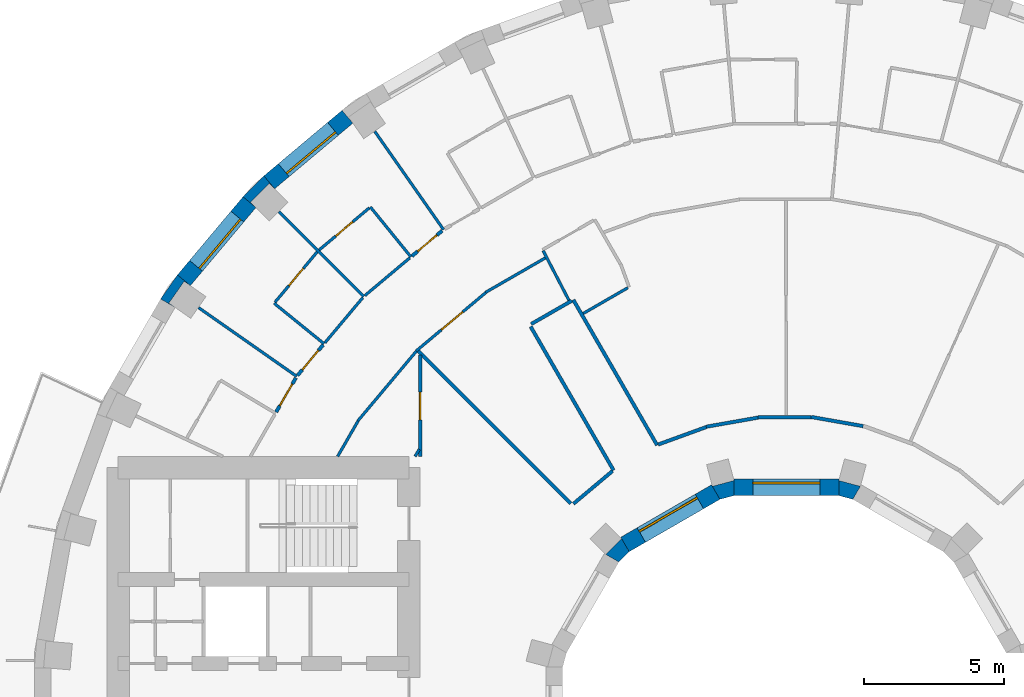
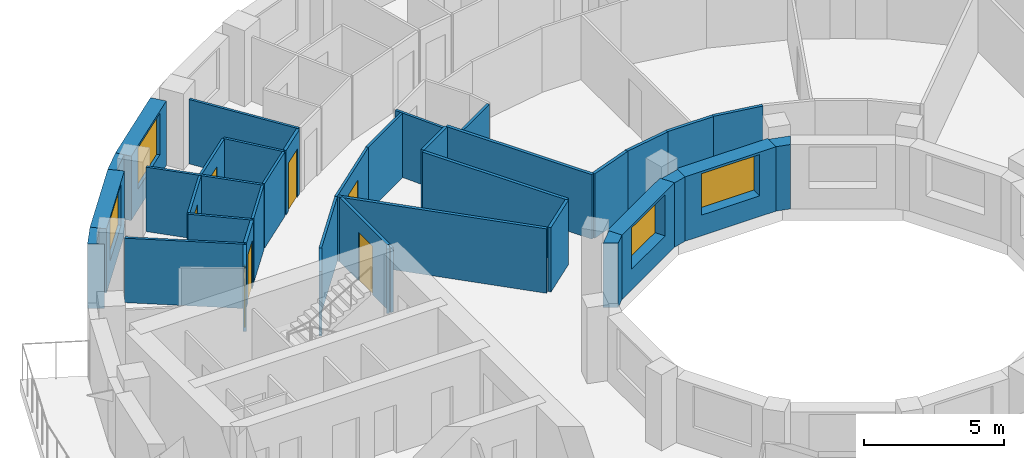
# One storey, part 8 of 12: 38 walls, 7 doors, 4 windows, 11 openings.
"""IFC4 building model written with IfcOpenShell, lengths in metres."""

from ifc_helpers import new_model, si_unit, direction, frame, frame_2d, origin, place, context, subcontext, project, spatial, polyline, rectangle, outline, extrude, material, layer, layer_set, type_object, element, fill, save


model = new_model("IFC4")

# Units and contexts
model_context = context("Model", 3, precision=1e-05, world=origin(), true_north=direction((0.0, 1.0)))
body_context = subcontext(model_context, "Body", "Model", "MODEL_VIEW")
ifc_project = project(units=[si_unit("LENGTHUNIT", "METRE"), si_unit("AREAUNIT", "SQUARE_METRE"), si_unit("VOLUMEUNIT", "CUBIC_METRE"), si_unit("PLANEANGLEUNIT", "RADIAN"), si_unit("MASSUNIT", "GRAM", prefix="KILO")], contexts=[model_context])

# Site, building, storey
site_placement = place(None, origin())
site = spatial("IfcSite", under=ifc_project, at=site_placement, CompositionType="ELEMENT")
building_placement = place(site_placement, origin())
building = spatial("IfcBuilding", under=site, at=building_placement, Name="Saqina Gate Tower", CompositionType="ELEMENT")
storey_placement = place(building_placement, frame((0.0, 0.0, 115.0)))
storey = spatial("IfcBuildingStorey", under=building, at=storey_placement, Name="L32", CompositionType="ELEMENT", Elevation=115.0)

# Walls
ifc_material_1 = material(Name="Brick masonry (buff)", Category="masonry")
wall_type_1 = type_object("IfcWallType", Name="BRICK PIER COPING BUFF", PredefinedType="SOLIDWALL", material=ifc_material_1)
wall_1_placement = place(storey_placement, origin())
element("IfcWall", 1, at=wall_1_placement, inside=storey, type_object=wall_type_1, Name="Pier cap L32 column 14", PredefinedType="SOLIDWALL", context=body_context, shape_type="SweptSolid", body=[
    extrude(outline(polyline([(-18.686279296875, 19.43212890625), (-19.43212890625, 18.686279296875), (-18.972412109375, 18.30078125), (-19.16259765625, 18.49072265625), (-18.49072265625, 19.16259765625), (-18.30078125, 18.972412109375), (-18.686279296875, 19.43212890625)])), origin(), (0.0, 0.0, 1.0), 2.800048828125),
])
wall_2_placement = place(storey_placement, origin())
element("IfcWall", 2, at=wall_2_placement, inside=storey, type_object=wall_type_1, Name="Pier cap L32 column 15", PredefinedType="SOLIDWALL", context=body_context, shape_type="SweptSolid", body=[
    extrude(outline(polyline([(-22.3818359375, 15.0283203125), (-21.862060546875, 14.728271484375), (-22.08251953125, 14.88232421875), (-21.53759765625, 15.66064453125), (-21.317138671875, 15.50634765625), (-21.77685546875, 15.89208984375), (-22.3818359375, 15.0283203125)])), origin(), (0.0, 0.0, 1.0), 2.800048828125),
])

# Wall, opening, window
ifc_material_2 = material(Name="Brick masonry (buff)", Category="masonry")
ifc_layer_1 = layer(ifc_material_2, 0.60009765625)
ifc_layer_set_1 = layer_set([ifc_layer_1], Name="FW-BRICK-BUFF")
wall_type_2 = type_object("IfcWallType", Name="FW-BRICK-BUFF", PredefinedType="SOLIDWALL", material=ifc_layer_set_1)
wall_3_placement = place(storey_placement, frame((-15.69921875, 21.547119140625, 0.0), z_axis=(0.0, 0.0, 1.0), x_axis=(-0.766055462616, -0.642774476932, 0.0)))
wall_3 = element("IfcWall", 3, at=wall_3_placement, inside=storey, type_object=wall_type_2, Name="Facade wall L32 facet 13", PredefinedType="SOLIDWALL", context=body_context, shape_type="SweptSolid", body=[
    extrude(rectangle(XDim=3.647705078125, YDim=0.60009765625, at=frame_2d((1.82373046875, 0.0))), origin(), (0.0, 0.0, 1.0), 2.800048828125),
])
opening_1_placement = place(wall_3_placement, frame((0.673828125, 0.0, 0.89990234375)))
opening_1 = element("IfcOpeningElement", 4, at=opening_1_placement, cuts=wall_3, Name="Opening G09-W11", PredefinedType="OPENING", context=body_context, shape_type="SweptSolid", body=[
    extrude(rectangle(XDim=2.300048828125, YDim=1.800048828125, at=frame_2d((1.14990234375, 0.89990234375))), frame((0.0, 0.31201171875, 0.0), z_axis=(0.0, -1.0, 0.0), x_axis=(1.0, 0.0, 0.0)), (0.0, 0.0, 1.0), 0.6240234375),
])
ifc_material_3 = material(Name="Aluminium glazing", Category="aluminium")
window_type_1 = type_object("IfcWindowType", Name="WN-B", PartitioningType="SINGLE_PANEL", PredefinedType="WINDOW", material=ifc_material_3)
window_1_placement = place(opening_1_placement, origin())
window_1 = element("IfcWindow", 5, at=window_1_placement, inside=storey, type_object=window_type_1, Name="Window L32 facet 13", OverallHeight=1.800048828125, OverallWidth=2.300048828125, PartitioningType="SINGLE_PANEL", PredefinedType="WINDOW", context=body_context, shape_type="SweptSolid", body=[
    extrude(rectangle(XDim=2.300048828125, YDim=1.800048828125, at=frame_2d((1.14990234375, 0.89990234375))), frame((0.0, 0.179931640625, 0.0), z_axis=(0.0, -1.0, 0.0), x_axis=(1.0, 0.0, 0.0)), (0.0, 0.0, 1.0), 0.06005859375),
])
fill(opening_1, window_1)

wall_4_placement = place(storey_placement, frame((-19.202392578125, 18.49365234375, 0.0), z_axis=(0.0, 0.0, 1.0), x_axis=(-0.642774476932, -0.766055462616, 0.0)))
wall_4 = element("IfcWall", 6, at=wall_4_placement, inside=storey, type_object=wall_type_2, Name="Facade wall L32 facet 14", PredefinedType="SOLIDWALL", context=body_context, shape_type="SweptSolid", body=[
    extrude(rectangle(XDim=3.647705078125, YDim=0.60009765625, at=frame_2d((1.82373046875, 0.0))), origin(), (0.0, 0.0, 1.0), 2.800048828125),
])
opening_2_placement = place(wall_4_placement, frame((0.673828125, 0.0, 0.89990234375)))
opening_2 = element("IfcOpeningElement", 7, at=opening_2_placement, cuts=wall_4, Name="Opening G09-W12", PredefinedType="OPENING", context=body_context, shape_type="SweptSolid", body=[
    extrude(rectangle(XDim=2.300048828125, YDim=1.800048828125, at=frame_2d((1.14990234375, 0.89990234375))), frame((0.0, 0.31201171875, 0.0), z_axis=(0.0, -1.0, 0.0), x_axis=(1.0, 0.0, 0.0)), (0.0, 0.0, 1.0), 0.6240234375),
])
window_2_placement = place(opening_2_placement, origin())
window_2 = element("IfcWindow", 8, at=window_2_placement, inside=storey, type_object=window_type_1, Name="Window L32 facet 14", OverallHeight=1.800048828125, OverallWidth=2.300048828125, PartitioningType="SINGLE_PANEL", PredefinedType="WINDOW", context=body_context, shape_type="SweptSolid", body=[
    extrude(rectangle(XDim=2.300048828125, YDim=1.800048828125, at=frame_2d((1.14990234375, 0.89990234375))), frame((0.0, 0.179931640625, 0.0), z_axis=(0.0, -1.0, 0.0), x_axis=(1.0, 0.0, 0.0)), (0.0, 0.0, 1.0), 0.06005859375),
])
fill(opening_2, window_2)

ifc_material_4 = material(Name="Glazed ceramic tile", Category="ceramic")
ifc_layer_2 = layer(ifc_material_4, 0.60009765625)
ifc_layer_set_2 = layer_set([ifc_layer_2], Name="IW-TILE")
wall_type_3 = type_object("IfcWallType", Name="IW-TILE", PredefinedType="SOLIDWALL", material=ifc_layer_set_2)
wall_5_placement = place(storey_placement, frame((1.873779296875, 8.300048828125, 0.0), z_axis=(0.0, 0.0, 1.0), x_axis=(-1.0, 0.0, 0.0)))
wall_5 = element("IfcWall", 9, at=wall_5_placement, inside=storey, type_object=wall_type_3, Name="Well wall L32 facet 3", PredefinedType="SOLIDWALL", context=body_context, shape_type="SweptSolid", body=[
    extrude(rectangle(XDim=3.74755859375, YDim=0.60009765625, at=frame_2d((1.873779296875, 0.0))), origin(), (0.0, 0.0, 1.0), 2.800048828125),
])
opening_3_placement = place(wall_5_placement, frame((0.673583984375, 0.0, 0.89990234375)))
opening_3 = element("IfcOpeningElement", 10, at=opening_3_placement, cuts=wall_5, Name="Opening G09-W28", PredefinedType="OPENING", context=body_context, shape_type="SweptSolid", body=[
    extrude(rectangle(XDim=2.39990234375, YDim=1.800048828125, at=frame_2d((1.199951171875, 0.89990234375))), frame((0.0, 0.31201171875, 0.0), z_axis=(0.0, -1.0, 0.0), x_axis=(1.0, 0.0, 0.0)), (0.0, 0.0, 1.0), 0.6240234375),
])
ifc_material_5 = material(Name="Aluminium glazing", Category="aluminium")
window_type_2 = type_object("IfcWindowType", Name="WN-W", PartitioningType="SINGLE_PANEL", PredefinedType="WINDOW", material=ifc_material_5)
window_3_placement = place(opening_3_placement, origin())
window_3 = element("IfcWindow", 11, at=window_3_placement, inside=storey, type_object=window_type_2, Name="Well window L32 facet 3", OverallHeight=1.800048828125, OverallWidth=2.39990234375, PartitioningType="SINGLE_PANEL", PredefinedType="WINDOW", context=body_context, shape_type="SweptSolid", body=[
    extrude(rectangle(XDim=2.39990234375, YDim=1.800048828125, at=frame_2d((1.199951171875, 0.89990234375))), frame((0.0, -0.119873046875, 0.0), z_axis=(0.0, -1.0, 0.0), x_axis=(1.0, 0.0, 0.0)), (0.0, 0.0, 1.0), 0.06005859375),
])
fill(opening_3, window_3)

wall_6_placement = place(storey_placement, frame((-2.52734375, 8.124755859375, 0.0), z_axis=(0.0, 0.0, 1.0), x_axis=(-0.86604563398, -0.499964958637, 0.0)))
wall_6 = element("IfcWall", 12, at=wall_6_placement, inside=storey, type_object=wall_type_3, Name="Well wall L32 facet 4", PredefinedType="SOLIDWALL", context=body_context, shape_type="SweptSolid", body=[
    extrude(rectangle(XDim=3.747314453125, YDim=0.60009765625, at=frame_2d((1.87353515625, 0.0))), origin(), (0.0, 0.0, 1.0), 2.800048828125),
])
opening_4_placement = place(wall_6_placement, frame((0.673583984375, 0.0, 0.89990234375)))
opening_4 = element("IfcOpeningElement", 13, at=opening_4_placement, cuts=wall_6, Name="Opening G09-W29", PredefinedType="OPENING", context=body_context, shape_type="SweptSolid", body=[
    extrude(rectangle(XDim=2.39990234375, YDim=1.800048828125, at=frame_2d((1.199951171875, 0.89990234375))), frame((0.0, 0.31201171875, 0.0), z_axis=(0.0, -1.0, 0.0), x_axis=(1.0, 0.0, 0.0)), (0.0, 0.0, 1.0), 0.6240234375),
])
window_4_placement = place(opening_4_placement, origin())
window_4 = element("IfcWindow", 14, at=window_4_placement, inside=storey, type_object=window_type_2, Name="Well window L32 facet 4", OverallHeight=1.800048828125, OverallWidth=2.39990234375, PartitioningType="SINGLE_PANEL", PredefinedType="WINDOW", context=body_context, shape_type="SweptSolid", body=[
    extrude(rectangle(XDim=2.39990234375, YDim=1.800048828125, at=frame_2d((1.199951171875, 0.89990234375))), frame((0.0, -0.119873046875, 0.0), z_axis=(0.0, -1.0, 0.0), x_axis=(1.0, 0.0, 0.0)), (0.0, 0.0, 1.0), 0.06005859375),
])
fill(opening_4, window_4)

# Walls
ifc_material_6 = material(Name="Gypsum board on steel studs, 100 mm", Category="steel")
ifc_layer_3 = layer(ifc_material_6, 0.10009765625)
ifc_layer_set_3 = layer_set([ifc_layer_3], Name="PARTITION 100")
wall_type_4 = type_object("IfcWallType", Name="PARTITION 100", PredefinedType="PARTITIONING", material=ifc_layer_set_3)
wall_7_placement = place(storey_placement, frame((-8.69873046875, 16.755859375, 0.0), z_axis=(0.0, 0.0, 1.0), x_axis=(0.461029785453, -0.887384661195, 0.0)))
element("IfcWall", 15, at=wall_7_placement, inside=storey, type_object=wall_type_4, Name="PARTITION PW3-10", PredefinedType="PARTITIONING", context=body_context, shape_type="SweptSolid", body=[
    extrude(rectangle(XDim=1.99951171875, YDim=0.10009765625, at=frame_2d((0.999755859375, 0.0))), origin(), (0.0, 0.0, 1.0), 2.800048828125),
])
wall_8_placement = place(storey_placement, frame((-14.720703125, 21.023681640625, 0.0), z_axis=(0.0, 0.0, 1.0), x_axis=(0.573546429028, -0.819173054824, 0.0)))
element("IfcWall", 16, at=wall_8_placement, inside=storey, type_object=wall_type_4, Name="PARTITION PW3-16", PredefinedType="PARTITIONING", context=body_context, shape_type="SweptSolid", body=[
    extrude(rectangle(XDim=4.286865234375, YDim=0.10009765625, at=frame_2d((2.1435546875, 0.0))), origin(), (0.0, 0.0, 1.0), 2.800048828125),
])
wall_9_placement = place(storey_placement, frame((-14.8779296875, 18.320068359375, 0.0), z_axis=(0.0, 0.0, 1.0), x_axis=(0.630256971768, -0.776386597989, 0.0)))
element("IfcWall", 17, at=wall_9_placement, inside=storey, type_object=wall_type_4, Name="PARTITION PW3-18", PredefinedType="PARTITIONING", context=body_context, shape_type="SweptSolid", body=[
    extrude(rectangle(XDim=2.300537109375, YDim=0.10009765625, at=frame_2d((1.150390625, 0.0))), origin(), (0.0, 0.0, 1.0), 2.800048828125),
])
wall_10_placement = place(storey_placement, frame((-18.14794921875, 18.14794921875, 0.0), z_axis=(0.0, 0.0, 1.0), x_axis=(0.707106781187, -0.707106781187, 0.0)))
element("IfcWall", 18, at=wall_10_placement, inside=storey, type_object=wall_type_4, Name="PARTITION PW3-23", PredefinedType="PARTITIONING", context=body_context, shape_type="SweptSolid", body=[
    extrude(rectangle(XDim=4.286376953125, YDim=0.10009765625, at=frame_2d((2.14306640625, 0.0))), origin(), (0.0, 0.0, 1.0), 2.800048828125),
])
wall_11_placement = place(storey_placement, frame((-18.320068359375, 14.8779296875, 0.0), z_axis=(0.0, 0.0, 1.0), x_axis=(0.776386597989, -0.630256971768, 0.0)))
element("IfcWall", 19, at=wall_11_placement, inside=storey, type_object=wall_type_4, Name="PARTITION PW3-28", PredefinedType="PARTITIONING", context=body_context, shape_type="SweptSolid", body=[
    extrude(rectangle(XDim=2.300537109375, YDim=0.10009765625, at=frame_2d((1.150390625, 0.0))), origin(), (0.0, 0.0, 1.0), 2.800048828125),
])
wall_12_placement = place(storey_placement, frame((-21.023681640625, 14.720703125, 0.0), z_axis=(0.0, 0.0, 1.0), x_axis=(0.819173054824, -0.573546429028, 0.0)))
element("IfcWall", 20, at=wall_12_placement, inside=storey, type_object=wall_type_4, Name="PARTITION PW3-29", PredefinedType="PARTITIONING", context=body_context, shape_type="SweptSolid", body=[
    extrude(rectangle(XDim=4.286865234375, YDim=0.10009765625, at=frame_2d((2.1435546875, 0.0))), origin(), (0.0, 0.0, 1.0), 2.800048828125),
])
wall_13_placement = place(storey_placement, frame((-7.2666015625, 14.510498046875, 0.0), z_axis=(0.0, 0.0, 1.0), x_axis=(0.865945322787, 0.500138678712, 0.0)))
element("IfcWall", 21, at=wall_13_placement, inside=storey, type_object=wall_type_4, Name="PARTITION PW3-67", PredefinedType="PARTITIONING", context=body_context, shape_type="SweptSolid", body=[
    extrude(rectangle(XDim=1.8447265625, YDim=0.10009765625, at=frame_2d((0.92236328125, 0.0))), origin(), (0.0, 0.0, 1.0), 2.800048828125),
])
wall_14_placement = place(storey_placement, frame((-10.7529296875, 15.2685546875, 0.0), z_axis=(0.0, 0.0, 1.0), x_axis=(0.866079862983, 0.499905662036, 0.0)))
element("IfcWall", 22, at=wall_14_placement, inside=storey, type_object=wall_type_4, Name="PARTITION PW3-68", PredefinedType="PARTITIONING", context=body_context, shape_type="SweptSolid", body=[
    extrude(rectangle(XDim=2.4609375, YDim=0.10009765625, at=frame_2d((1.23046875, 0.0))), origin(), (0.0, 0.0, 1.0), 2.800048828125),
])

# Wall, opening, door
wall_15_placement = place(storey_placement, frame((-13.240966796875, 13.16943359375, 0.0), z_axis=(0.0, 0.0, 1.0), x_axis=(0.766028328168, 0.642806814248, 0.0)))
wall_15 = element("IfcWall", 23, at=wall_15_placement, inside=storey, type_object=wall_type_4, Name="PARTITION PW3-74", PredefinedType="PARTITIONING", context=body_context, shape_type="SweptSolid", body=[
    extrude(rectangle(XDim=3.25537109375, YDim=0.10009765625, at=frame_2d((1.627685546875, 0.0))), origin(), (0.0, 0.0, 1.0), 2.800048828125),
])
opening_5_placement = place(wall_15_placement, frame((1.177978515625, 0.0, 0.0)))
opening_5 = element("IfcOpeningElement", 24, at=opening_5_placement, cuts=wall_15, Name="Opening G09-D22", PredefinedType="OPENING", context=body_context, shape_type="SweptSolid", body=[
    extrude(rectangle(XDim=1.0, YDim=2.10009765625, at=frame_2d((0.5, 1.050048828125))), frame((0.0, 0.06201171875, 0.0), z_axis=(0.0, -1.0, 0.0), x_axis=(1.0, 0.0, 0.0)), (0.0, 0.0, 1.0), 0.1240234375),
])
ifc_material_7 = material(Name="Timber door leaf, 1000 mm", Category="wood")
door_type_1 = type_object("IfcDoorType", Name="DOOR 1000 TIMBER", OperationType="SINGLE_SWING_LEFT", PredefinedType="DOOR", material=ifc_material_7)
door_1_placement = place(opening_5_placement, origin())
door_1 = element("IfcDoor", 25, at=door_1_placement, inside=storey, type_object=door_type_1, Name="DOOR G09-D22", OperationType="SINGLE_SWING_RIGHT", OverallHeight=2.10009765625, OverallWidth=1.0, PredefinedType="DOOR", context=body_context, shape_type="SweptSolid", body=[
    extrude(rectangle(XDim=1.0, YDim=2.10009765625, at=frame_2d((0.5, 1.050048828125))), frame((0.0, 0.02490234375, 0.0), z_axis=(0.0, -1.0, 0.0), x_axis=(1.0, 0.0, 0.0)), (0.0, 0.0, 1.0), 0.050048828125),
])
fill(opening_5, door_1)

# Wall
wall_16_placement = place(storey_placement, frame((-15.07763671875, 15.14990234375, 0.0), z_axis=(0.0, 0.0, 1.0), x_axis=(0.766047733122, 0.642783688793, 0.0)))
element("IfcWall", 26, at=wall_16_placement, inside=storey, type_object=wall_type_4, Name="PARTITION PW3-75", PredefinedType="PARTITIONING", context=body_context, shape_type="SweptSolid", body=[
    extrude(rectangle(XDim=2.103515625, YDim=0.10009765625, at=frame_2d((1.0517578125, 0.0))), origin(), (0.0, 0.0, 1.0), 2.800048828125),
])

# Wall, opening, door
wall_17_placement = place(storey_placement, frame((-16.711669921875, 16.7822265625, 0.0), z_axis=(0.0, 0.0, 1.0), x_axis=(0.766236222747, 0.642558986359, 0.0)))
wall_17 = element("IfcWall", 27, at=wall_17_placement, inside=storey, type_object=wall_type_4, Name="PARTITION PW3-76", PredefinedType="PARTITIONING", context=body_context, shape_type="SweptSolid", body=[
    extrude(rectangle(XDim=2.34326171875, YDim=0.10009765625, at=frame_2d((1.171630859375, 0.0))), origin(), (0.0, 0.0, 1.0), 2.800048828125),
])
opening_6_placement = place(wall_17_placement, frame((0.771484375, 0.0, 0.0)))
opening_6 = element("IfcOpeningElement", 28, at=opening_6_placement, cuts=wall_17, Name="Opening G09-D23", PredefinedType="OPENING", context=body_context, shape_type="SweptSolid", body=[
    extrude(rectangle(XDim=0.800048828125, YDim=2.10009765625, at=frame_2d((0.39990234375, 1.050048828125))), frame((0.0, 0.06201171875, 0.0), z_axis=(0.0, -1.0, 0.0), x_axis=(1.0, 0.0, 0.0)), (0.0, 0.0, 1.0), 0.1240234375),
])
ifc_material_8 = material(Name="Timber door leaf, 800 mm", Category="wood")
door_type_2 = type_object("IfcDoorType", Name="DOOR 800 TIMBER", OperationType="SINGLE_SWING_LEFT", PredefinedType="DOOR", material=ifc_material_8)
door_2_placement = place(opening_6_placement, origin())
door_2 = element("IfcDoor", 29, at=door_2_placement, inside=storey, type_object=door_type_2, Name="DOOR G09-D23", OperationType="SINGLE_SWING_LEFT", OverallHeight=2.10009765625, OverallWidth=0.800048828125, PredefinedType="DOOR", context=body_context, shape_type="SweptSolid", body=[
    extrude(rectangle(XDim=0.800048828125, YDim=2.10009765625, at=frame_2d((0.39990234375, 1.050048828125))), frame((0.0, 0.02490234375, 0.0), z_axis=(0.0, -1.0, 0.0), x_axis=(1.0, 0.0, 0.0)), (0.0, 0.0, 1.0), 0.050048828125),
])
fill(opening_6, door_2)

# Walls
wall_18_placement = place(storey_placement, frame((-15.32666015625, 10.670166015625, 0.0), z_axis=(0.0, 0.0, 1.0), x_axis=(0.642806814248, 0.766028328168, 0.0)))
element("IfcWall", 30, at=wall_18_placement, inside=storey, type_object=wall_type_4, Name="PARTITION PW3-80", PredefinedType="PARTITIONING", context=body_context, shape_type="SweptSolid", body=[
    extrude(rectangle(XDim=3.25537109375, YDim=0.10009765625, at=frame_2d((1.627685546875, 0.0))), origin(), (0.0, 0.0, 1.0), 2.800048828125),
])
wall_19_placement = place(storey_placement, frame((-16.501953125, 13.46630859375, 0.0), z_axis=(0.0, 0.0, 1.0), x_axis=(0.642783688793, 0.766047733122, 0.0)))
element("IfcWall", 31, at=wall_19_placement, inside=storey, type_object=wall_type_4, Name="PARTITION PW3-81", PredefinedType="PARTITIONING", context=body_context, shape_type="SweptSolid", body=[
    extrude(rectangle(XDim=2.103515625, YDim=0.10009765625, at=frame_2d((1.0517578125, 0.0))), origin(), (0.0, 0.0, 1.0), 2.800048828125),
])

# Wall, opening, door
wall_20_placement = place(storey_placement, frame((-18.287841796875, 14.916259765625, 0.0), z_axis=(0.0, 0.0, 1.0), x_axis=(0.642558986359, 0.766236222747, 0.0)))
wall_20 = element("IfcWall", 32, at=wall_20_placement, inside=storey, type_object=wall_type_4, Name="PARTITION PW3-82", PredefinedType="PARTITIONING", context=body_context, shape_type="SweptSolid", body=[
    extrude(rectangle(XDim=2.34326171875, YDim=0.10009765625, at=frame_2d((1.171630859375, 0.0))), origin(), (0.0, 0.0, 1.0), 2.800048828125),
])
opening_7_placement = place(wall_20_placement, frame((0.771484375, 0.0, 0.0)))
opening_7 = element("IfcOpeningElement", 33, at=opening_7_placement, cuts=wall_20, Name="Opening G09-D24", PredefinedType="OPENING", context=body_context, shape_type="SweptSolid", body=[
    extrude(rectangle(XDim=0.800048828125, YDim=2.10009765625, at=frame_2d((0.39990234375, 1.050048828125))), frame((0.0, 0.06201171875, 0.0), z_axis=(0.0, -1.0, 0.0), x_axis=(1.0, 0.0, 0.0)), (0.0, 0.0, 1.0), 0.1240234375),
])
door_3_placement = place(opening_7_placement, origin())
door_3 = element("IfcDoor", 34, at=door_3_placement, inside=storey, type_object=door_type_2, Name="DOOR G09-D24", OperationType="SINGLE_SWING_LEFT", OverallHeight=2.10009765625, OverallWidth=0.800048828125, PredefinedType="DOOR", context=body_context, shape_type="SweptSolid", body=[
    extrude(rectangle(XDim=0.800048828125, YDim=2.10009765625, at=frame_2d((0.39990234375, 1.050048828125))), frame((0.0, 0.02490234375, 0.0), z_axis=(0.0, -1.0, 0.0), x_axis=(1.0, 0.0, 0.0)), (0.0, 0.0, 1.0), 0.050048828125),
])
fill(opening_7, door_3)

# Walls
wall_21_placement = place(storey_placement, frame((-16.049072265625, 9.39990234375, 0.0), z_axis=(0.0, 0.0, 1.0), x_axis=(0.499553700297, 0.866282921752, 0.0)))
element("IfcWall", 35, at=wall_21_placement, inside=storey, type_object=wall_type_4, Name="PARTITION PW3-88", PredefinedType="PARTITIONING", context=body_context, shape_type="SweptSolid", body=[
    extrude(rectangle(XDim=1.461181640625, YDim=0.10009765625, at=frame_2d((0.73046875, 0.0))), origin(), (0.0, 0.0, 1.0), 2.800048828125),
])
wall_22_placement = place(storey_placement, frame((-13.278076171875, 9.40087890625, 0.0), z_axis=(0.0, 0.0, 1.0), x_axis=(0.49953088146, 0.866296080141, 0.0)))
element("IfcWall", 36, at=wall_22_placement, inside=storey, type_object=wall_type_4, Name="PARTITION PW3-91", PredefinedType="PARTITIONING", context=body_context, shape_type="SweptSolid", body=[
    extrude(rectangle(XDim=0.294189453125, YDim=0.10009765625, at=frame_2d((0.14697265625, 0.0))), origin(), (0.0, 0.0, 1.0), 2.800048828125),
])
ifc_material_9 = material(Name="Gypsum board on steel studs, 125 mm, fire rated", Category="steel")
ifc_layer_4 = layer(ifc_material_9, 0.125)
ifc_layer_set_4 = layer_set([ifc_layer_4], Name="PARTITION EI 30 125")
wall_type_5 = type_object("IfcWallType", Name="PARTITION EI 30 125", PredefinedType="PARTITIONING", material=ifc_layer_set_4)
wall_23_placement = place(storey_placement, frame((-9.146728515625, 14.043212890625, 0.0), z_axis=(0.0, 0.0, 1.0), x_axis=(0.499891007886, -0.866088321267, 0.0)))
element("IfcWall", 37, at=wall_23_placement, inside=storey, type_object=wall_type_5, Name="PARTITION PW1-01", PredefinedType="PARTITIONING", context=body_context, shape_type="SweptSolid", body=[
    extrude(rectangle(XDim=5.934814453125, YDim=0.125, at=frame_2d((2.96728515625, 0.0))), origin(), (0.0, 0.0, 1.0), 2.800048828125),
])
wall_24_placement = place(storey_placement, frame((-7.62109375, 14.9990234375, 0.0), z_axis=(0.0, 0.0, 1.0), x_axis=(0.499745940409, -0.866172035478, 0.0)))
element("IfcWall", 38, at=wall_24_placement, inside=storey, type_object=wall_type_5, Name="PARTITION PW1-02", PredefinedType="PARTITIONING", context=body_context, shape_type="SweptSolid", body=[
    extrude(rectangle(XDim=5.9990234375, YDim=0.125, at=frame_2d((2.99951171875, 0.0))), origin(), (0.0, 0.0, 1.0), 2.800048828125),
])
wall_25_placement = place(storey_placement, frame((-13.16650390625, 13.16650390625, 0.0), z_axis=(0.0, 0.0, 1.0), x_axis=(0.707106781187, -0.707106781187, 0.0)))
element("IfcWall", 39, at=wall_25_placement, inside=storey, type_object=wall_type_5, Name="PARTITION PW1-06", PredefinedType="PARTITIONING", context=body_context, shape_type="SweptSolid", body=[
    extrude(rectangle(XDim=7.71630859375, YDim=0.125, at=frame_2d((3.858154296875, 0.0))), origin(), (0.0, 0.0, 1.0), 2.800048828125),
])
wall_26_placement = place(storey_placement, frame((0.882568359375, 10.81103515625, 0.0), z_axis=(0.0, 0.0, 1.0), x_axis=(0.984822536066, -0.173564317922, 0.0)))
element("IfcWall", 40, at=wall_26_placement, inside=storey, type_object=wall_type_5, Name="PARTITION PW1-21", PredefinedType="PARTITIONING", context=body_context, shape_type="SweptSolid", body=[
    extrude(rectangle(XDim=1.890625, YDim=0.125, at=frame_2d((0.9453125, 0.0))), origin(), (0.0, 0.0, 1.0), 2.800048828125),
])
wall_27_placement = place(storey_placement, frame((-1.008544921875, 10.800048828125, 0.0), z_axis=(0.0, 0.0, 1.0), x_axis=(1.0, 0.0, 0.0)))
element("IfcWall", 41, at=wall_27_placement, inside=storey, type_object=wall_type_5, Name="PARTITION PW1-25", PredefinedType="PARTITIONING", context=body_context, shape_type="SweptSolid", body=[
    extrude(rectangle(XDim=1.89111328125, YDim=0.125, at=frame_2d((0.945556640625, 0.0))), origin(), (0.0, 0.0, 1.0), 2.800048828125),
])
wall_28_placement = place(storey_placement, frame((-2.8681640625, 10.4609375, 0.0), z_axis=(0.0, 0.0, 1.0), x_axis=(0.984818645033, 0.173586394613, 0.0)))
element("IfcWall", 42, at=wall_28_placement, inside=storey, type_object=wall_type_5, Name="PARTITION PW1-30", PredefinedType="PARTITIONING", context=body_context, shape_type="SweptSolid", body=[
    extrude(rectangle(XDim=1.890380859375, YDim=0.125, at=frame_2d((0.9453125, 0.0))), origin(), (0.0, 0.0, 1.0), 2.800048828125),
])
wall_29_placement = place(storey_placement, frame((-4.58203125, 9.825927734375, 0.0), z_axis=(0.0, 0.0, 1.0), x_axis=(0.939758316357, 0.341839592261, 0.0)))
element("IfcWall", 43, at=wall_29_placement, inside=storey, type_object=wall_type_5, Name="PARTITION PW1-32", PredefinedType="PARTITIONING", context=body_context, shape_type="SweptSolid", body=[
    extrude(rectangle(XDim=1.82763671875, YDim=0.125, at=frame_2d((0.913818359375, 0.0))), origin(), (0.0, 0.0, 1.0), 2.800048828125),
])
wall_30_placement = place(storey_placement, frame((-9.126708984375, 14.133544921875, 0.0), z_axis=(0.0, 0.0, 1.0), x_axis=(0.866992941954, 0.498320417604, 0.0)))
element("IfcWall", 44, at=wall_30_placement, inside=storey, type_object=wall_type_5, Name="PARTITION PW1-34", PredefinedType="PARTITIONING", context=body_context, shape_type="SweptSolid", body=[
    extrude(rectangle(XDim=1.674072265625, YDim=0.125, at=frame_2d((0.8369140625, 0.0))), origin(), (0.0, 0.0, 1.0), 2.800048828125),
])
wall_31_placement = place(storey_placement, frame((-7.6171875, 7.7041015625, 0.0), z_axis=(0.0, 0.0, 1.0), x_axis=(0.7660388271, 0.642794302538, 0.0)))
element("IfcWall", 45, at=wall_31_placement, inside=storey, type_object=wall_type_5, Name="PARTITION PW1-40", PredefinedType="PARTITIONING", context=body_context, shape_type="SweptSolid", body=[
    extrude(rectangle(XDim=1.828369140625, YDim=0.125, at=frame_2d((0.9140625, 0.0))), origin(), (0.0, 0.0, 1.0), 2.800048828125),
])

# Wall, opening, door
wall_32_placement = place(storey_placement, frame((-13.3896484375, 16.566162109375, 0.0), z_axis=(0.0, 0.0, 1.0), x_axis=(0.766158527395, 0.642651624833, 0.0)))
wall_32 = element("IfcWall", 46, at=wall_32_placement, inside=storey, type_object=wall_type_5, Name="PARTITION PW1-41", PredefinedType="PARTITIONING", context=body_context, shape_type="SweptSolid", body=[
    extrude(rectangle(XDim=1.409423828125, YDim=0.125, at=frame_2d((0.70458984375, 0.0))), origin(), (0.0, 0.0, 1.0), 2.800048828125),
])
opening_8_placement = place(wall_32_placement, frame((0.260986328125, 0.0, 0.0)))
opening_8 = element("IfcOpeningElement", 47, at=opening_8_placement, cuts=wall_32, Name="Opening G09-D21", PredefinedType="OPENING", context=body_context, shape_type="SweptSolid", body=[
    extrude(rectangle(XDim=0.89990234375, YDim=2.10009765625, at=frame_2d((0.449951171875, 1.050048828125))), frame((0.0, 0.074462890625, 0.0), z_axis=(0.0, -1.0, 0.0), x_axis=(1.0, 0.0, 0.0)), (0.0, 0.0, 1.0), 0.14892578125),
])
ifc_material_10 = material(Name="Fire door leaf EI 30, 900 mm")
door_type_3 = type_object("IfcDoorType", Name="DOOR 900 EI 30", OperationType="SINGLE_SWING_LEFT", PredefinedType="DOOR", material=ifc_material_10)
door_4_placement = place(opening_8_placement, frame((0.89990234375, 0.0, 0.0), z_axis=(0.0, 0.0, 1.0), x_axis=(-1.0, 0.0, 0.0)))
door_4 = element("IfcDoor", 48, at=door_4_placement, inside=storey, type_object=door_type_3, Name="DOOR G09-D21", OperationType="SINGLE_SWING_LEFT", OverallHeight=2.10009765625, OverallWidth=0.89990234375, PredefinedType="DOOR", context=body_context, shape_type="SweptSolid", body=[
    extrude(rectangle(XDim=0.89990234375, YDim=2.10009765625, at=frame_2d((0.449951171875, 1.050048828125))), frame((0.0, 0.02490234375, 0.0), z_axis=(0.0, -1.0, 0.0), x_axis=(1.0, 0.0, 0.0)), (0.0, 0.0, 1.0), 0.050048828125),
])
fill(opening_8, door_4)

wall_33_placement = place(storey_placement, frame((-17.47998046875, 12.30029296875, 0.0), z_axis=(0.0, 0.0, 1.0), x_axis=(0.642680541645, 0.766134271124, 0.0)))
wall_33 = element("IfcWall", 49, at=wall_33_placement, inside=storey, type_object=wall_type_5, Name="PARTITION PW1-44", PredefinedType="PARTITIONING", context=body_context, shape_type="SweptSolid", body=[
    extrude(rectangle(XDim=1.421875, YDim=0.125, at=frame_2d((0.7109375, 0.0))), origin(), (0.0, 0.0, 1.0), 2.800048828125),
])
opening_9_placement = place(wall_33_placement, frame((0.260986328125, 0.0, 0.0)))
opening_9 = element("IfcOpeningElement", 50, at=opening_9_placement, cuts=wall_33, Name="Opening G09-D26", PredefinedType="OPENING", context=body_context, shape_type="SweptSolid", body=[
    extrude(rectangle(XDim=0.89990234375, YDim=2.10009765625, at=frame_2d((0.449951171875, 1.050048828125))), frame((0.0, 0.074462890625, 0.0), z_axis=(0.0, -1.0, 0.0), x_axis=(1.0, 0.0, 0.0)), (0.0, 0.0, 1.0), 0.14892578125),
])
door_5_placement = place(opening_9_placement, frame((0.89990234375, 0.0, 0.0), z_axis=(0.0, 0.0, 1.0), x_axis=(-1.0, 0.0, 0.0)))
door_5 = element("IfcDoor", 51, at=door_5_placement, inside=storey, type_object=door_type_3, Name="DOOR G09-D26", OperationType="SINGLE_SWING_RIGHT", OverallHeight=2.10009765625, OverallWidth=0.89990234375, PredefinedType="DOOR", context=body_context, shape_type="SweptSolid", body=[
    extrude(rectangle(XDim=0.89990234375, YDim=2.10009765625, at=frame_2d((0.449951171875, 1.050048828125))), frame((0.0, 0.02490234375, 0.0), z_axis=(0.0, -1.0, 0.0), x_axis=(1.0, 0.0, 0.0)), (0.0, 0.0, 1.0), 0.050048828125),
])
fill(opening_9, door_5)

wall_34_placement = place(storey_placement, frame((-18.248046875, 10.9873046875, 0.0), z_axis=(0.0, 0.0, 1.0), x_axis=(0.500107311056, 0.865963438852, 0.0)))
wall_34 = element("IfcWall", 52, at=wall_34_placement, inside=storey, type_object=wall_type_5, Name="PARTITION PW1-46", PredefinedType="PARTITIONING", context=body_context, shape_type="SweptSolid", body=[
    extrude(rectangle(XDim=1.409423828125, YDim=0.125, at=frame_2d((0.70458984375, 0.0))), origin(), (0.0, 0.0, 1.0), 2.800048828125),
])
opening_10_placement = place(wall_34_placement, frame((0.260986328125, 0.0, 0.0)))
opening_10 = element("IfcOpeningElement", 53, at=opening_10_placement, cuts=wall_34, Name="Opening G09-D27", PredefinedType="OPENING", context=body_context, shape_type="SweptSolid", body=[
    extrude(rectangle(XDim=0.89990234375, YDim=2.10009765625, at=frame_2d((0.449951171875, 1.050048828125))), frame((0.0, 0.074462890625, 0.0), z_axis=(0.0, -1.0, 0.0), x_axis=(1.0, 0.0, 0.0)), (0.0, 0.0, 1.0), 0.14892578125),
])
door_6_placement = place(opening_10_placement, frame((0.89990234375, 0.0, 0.0), z_axis=(0.0, 0.0, 1.0), x_axis=(-1.0, 0.0, 0.0)))
door_6 = element("IfcDoor", 54, at=door_6_placement, inside=storey, type_object=door_type_3, Name="DOOR G09-D27", OperationType="SINGLE_SWING_LEFT", OverallHeight=2.10009765625, OverallWidth=0.89990234375, PredefinedType="DOOR", context=body_context, shape_type="SweptSolid", body=[
    extrude(rectangle(XDim=0.89990234375, YDim=2.10009765625, at=frame_2d((0.449951171875, 1.050048828125))), frame((0.0, 0.02490234375, 0.0), z_axis=(0.0, -1.0, 0.0), x_axis=(1.0, 0.0, 0.0)), (0.0, 0.0, 1.0), 0.050048828125),
])
fill(opening_10, door_6)

wall_35_placement = place(storey_placement, frame((-13.10009765625, 9.39990234375, 0.0), z_axis=(0.0, 0.0, 1.0), x_axis=(0.0, 1.0, 0.0)))
wall_35 = element("IfcWall", 55, at=wall_35_placement, inside=storey, type_object=wall_type_5, Name="PARTITION PW1-52", PredefinedType="PARTITIONING", context=body_context, shape_type="SweptSolid", body=[
    extrude(rectangle(XDim=3.632568359375, YDim=0.125, at=frame_2d((1.81640625, 0.0))), origin(), (0.0, 0.0, 1.0), 2.800048828125),
])
opening_11_placement = place(wall_35_placement, frame((1.302490234375, 0.0, 0.0)))
opening_11 = element("IfcOpeningElement", 56, at=opening_11_placement, cuts=wall_35, Name="Opening G09-D25", PredefinedType="OPENING", context=body_context, shape_type="SweptSolid", body=[
    extrude(rectangle(XDim=1.0, YDim=2.10009765625, at=frame_2d((0.5, 1.050048828125))), frame((0.0, 0.074462890625, 0.0), z_axis=(0.0, -1.0, 0.0), x_axis=(1.0, 0.0, 0.0)), (0.0, 0.0, 1.0), 0.14892578125),
])
ifc_material_11 = material(Name="Fire door leaf EI 30, 1000 mm")
door_type_4 = type_object("IfcDoorType", Name="DOOR 1000 EI 30", OperationType="SINGLE_SWING_LEFT", PredefinedType="DOOR", material=ifc_material_11)
door_7_placement = place(opening_11_placement, origin())
door_7 = element("IfcDoor", 57, at=door_7_placement, inside=storey, type_object=door_type_4, Name="DOOR G09-D25", OperationType="SINGLE_SWING_RIGHT", OverallHeight=2.10009765625, OverallWidth=1.0, PredefinedType="DOOR", context=body_context, shape_type="SweptSolid", body=[
    extrude(rectangle(XDim=1.0, YDim=2.10009765625, at=frame_2d((0.5, 1.050048828125))), frame((0.0, 0.02490234375, 0.0), z_axis=(0.0, -1.0, 0.0), x_axis=(1.0, 0.0, 0.0)), (0.0, 0.0, 1.0), 0.050048828125),
])
fill(opening_11, door_7)

# Walls
ifc_material_12 = material(Name="Glazed ceramic tile", Category="ceramic")
wall_type_6 = type_object("IfcWallType", Name="TILE PIER COPING", PredefinedType="SOLIDWALL", material=ifc_material_12)
wall_36_placement = place(storey_placement, origin())
element("IfcWall", 58, at=wall_36_placement, inside=storey, type_object=wall_type_6, Name="Well pier cap L32 column 3", PredefinedType="SOLIDWALL", context=body_context, shape_type="SweptSolid", body=[
    extrude(outline(polyline([(1.873779296875, 8.5380859375), (1.873779296875, 8.0), (2.377197265625, 7.864990234375), (2.646484375, 8.3310546875), (1.873779296875, 8.5380859375)])), origin(), (0.0, 0.0, 1.0), 2.800048828125),
])
wall_37_placement = place(storey_placement, origin())
element("IfcWall", 59, at=wall_37_placement, inside=storey, type_object=wall_type_6, Name="Well pier cap L32 column 4", PredefinedType="SOLIDWALL", context=body_context, shape_type="SweptSolid", body=[
    extrude(outline(polyline([(-2.646484375, 8.3310546875), (-2.377197265625, 7.864990234375), (-1.873779296875, 8.0), (-1.873779296875, 8.5380859375), (-2.646484375, 8.3310546875)])), origin(), (0.0, 0.0, 1.0), 2.800048828125),
])
wall_38_placement = place(storey_placement, origin())
element("IfcWall", 60, at=wall_38_placement, inside=storey, type_object=wall_type_6, Name="Well pier cap L32 column 5", PredefinedType="SOLIDWALL", context=body_context, shape_type="SweptSolid", body=[
    extrude(outline(polyline([(-6.45751953125, 5.891845703125), (-5.991455078125, 5.622802734375), (-5.622802734375, 5.991455078125), (-5.891845703125, 6.45751953125), (-6.45751953125, 5.891845703125)])), origin(), (0.0, 0.0, 1.0), 2.800048828125),
])

save(model, "model.ifc")
